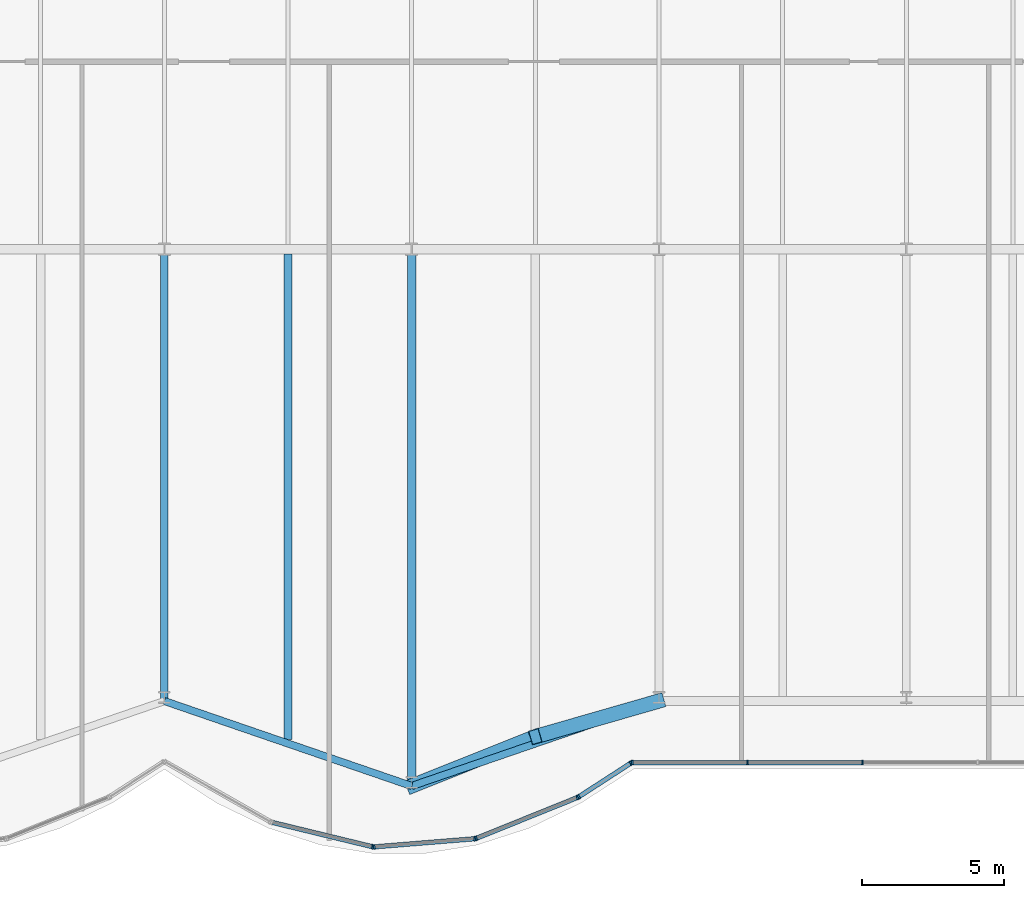
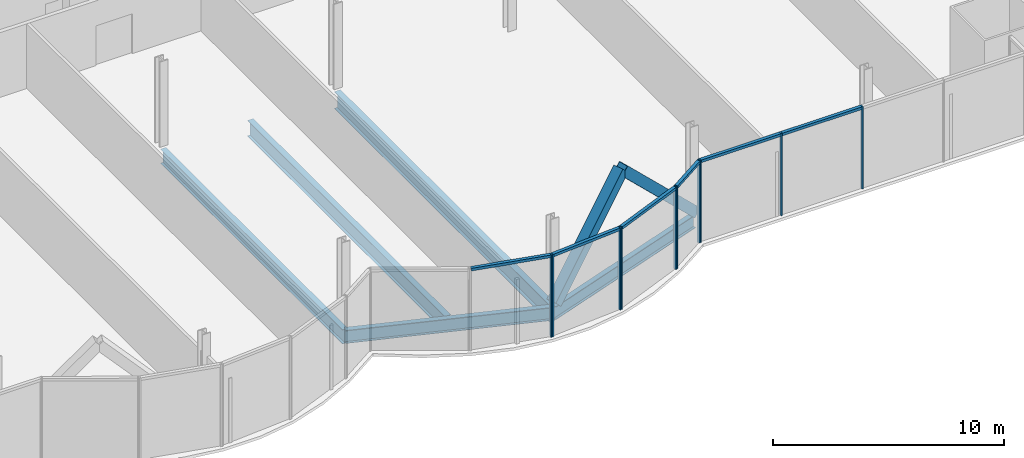
# One storey, part 8 of 21: 18 members, 5 beams, 2 elements without a shape of their own.
"""IFC4 building model written with IfcOpenShell, lengths in metres."""

from ifc_helpers import new_model, si_unit, direction, frame, origin, origin_2d, place, context, subcontext, project, spatial, rectangle, hollow_rectangle, i_section, extrude, material, material_profile, profile_set, type_object, element, aggregate, save


model = new_model("IFC4")

# Units and contexts
model_context = context("Model", 3, precision=1e-05, world=origin(), true_north=direction((0.0, 1.0)))
body_context = subcontext(model_context, "Body", "Model", "MODEL_VIEW")
ifc_project = project(units=[si_unit("LENGTHUNIT", "METRE"), si_unit("AREAUNIT", "SQUARE_METRE"), si_unit("VOLUMEUNIT", "CUBIC_METRE"), si_unit("PLANEANGLEUNIT", "RADIAN"), si_unit("MASSUNIT", "GRAM", prefix="KILO")], contexts=[model_context])

# Site, building, storey
site_placement = place(None, origin())
site = spatial("IfcSite", under=ifc_project, at=site_placement, CompositionType="ELEMENT")
building_placement = place(site_placement, origin())
building = spatial("IfcBuilding", under=site, at=building_placement, Name="Bicima Exchange Tower", CompositionType="ELEMENT")
storey_placement = place(building_placement, frame((0.0, 0.0, 66.5)))
storey = spatial("IfcBuildingStorey", under=building, at=storey_placement, Name="L13", CompositionType="ELEMENT", Elevation=66.5)

# Beams
ifc_material_1 = material(Name="Steel ASTM A992 Gr 50", Category="steel")
ifc_material_profile_1 = material_profile(ifc_material_1, i_section(OverallWidth=0.2666015625, OverallDepth=0.75439453125, WebThickness=0.01318359375, FlangeThickness=0.01708984375, at=origin_2d()))
ifc_profile_set_1 = profile_set([ifc_material_profile_1], Name="Steel ASTM A992 Gr 50")
beam_type_1 = type_object("IfcBeamType", Name="Floor beam W30x99", PredefinedType="JOIST", material=ifc_profile_set_1)
beam_1_placement = place(storey_placement, frame((0.0, -22.16259765625, -0.527099609375), z_axis=(0.0, -1.0, 0.0), x_axis=(1.0, 0.0, 0.0)))
element("IfcBeam", 1, at=beam_1_placement, inside=storey, type_object=beam_type_1, Name="Floor beam", PredefinedType="JOIST", context=body_context, shape_type="SweptSolid", body=[
    extrude(i_section(OverallWidth=0.2666015625, OverallDepth=0.75439453125, WebThickness=0.01318359375, FlangeThickness=0.01708984375, at=origin_2d()), origin(), (0.0, 0.0, 1.0), 15.7294921875),
])
ifc_material_profile_2 = material_profile(ifc_material_1, i_section(OverallWidth=0.2919921875, OverallDepth=0.835693359375, WebThickness=0.013916015625, FlangeThickness=0.018798828125, at=origin_2d()))
ifc_profile_set_2 = profile_set([ifc_material_profile_2], Name="Steel ASTM A992 Gr 50")
beam_type_2 = type_object("IfcBeamType", Name="Floor beam W33x118", PredefinedType="JOIST", material=ifc_profile_set_2)
beam_2_placement = place(storey_placement, frame((4.35009765625, -22.16259765625, -0.56787109375), z_axis=(0.0, -1.0, 0.0), x_axis=(1.0, 0.0, 0.0)))
element("IfcBeam", 2, at=beam_2_placement, inside=storey, type_object=beam_type_2, Name="Floor beam", PredefinedType="JOIST", context=body_context, shape_type="SweptSolid", body=[
    extrude(i_section(OverallWidth=0.2919921875, OverallDepth=0.835693359375, WebThickness=0.013916015625, FlangeThickness=0.018798828125, at=origin_2d()), origin(), (0.0, 0.0, 1.0), 17.08935546875),
])
ifc_material_profile_3 = material_profile(ifc_material_1, i_section(OverallWidth=0.3046875, OverallDepth=0.904296875, WebThickness=0.01513671875, FlangeThickness=0.02001953125, at=origin_2d()))
ifc_profile_set_3 = profile_set([ifc_material_profile_3], Name="Steel ASTM A992 Gr 50")
beam_type_3 = type_object("IfcBeamType", Name="Floor beam W36x135", PredefinedType="JOIST", material=ifc_profile_set_3)
beam_3_placement = place(storey_placement, frame((8.699951171875, -22.16259765625, -0.60205078125), z_axis=(0.0, -1.0, 0.0), x_axis=(1.0, 0.0, 0.0)))
element("IfcBeam", 3, at=beam_3_placement, inside=storey, type_object=beam_type_3, Name="Floor beam", PredefinedType="JOIST", context=body_context, shape_type="SweptSolid", body=[
    extrude(i_section(OverallWidth=0.3046875, OverallDepth=0.904296875, WebThickness=0.01513671875, FlangeThickness=0.02001953125, at=origin_2d()), origin(), (0.0, 0.0, 1.0), 18.584716796875),
])
ifc_material_profile_4 = material_profile(ifc_material_1, i_section(OverallWidth=0.256591796875, OverallDepth=0.693359375, WebThickness=0.014404296875, FlangeThickness=0.023681640625, at=origin_2d()))
ifc_profile_set_4 = profile_set([ifc_material_profile_4], Name="Steel ASTM A992 Gr 50")
beam_type_4 = type_object("IfcBeamType", Name="Front girder W27x114", PredefinedType="BEAM", material=ifc_profile_set_4)
for number, where, z_axis, x_axis, name in (
    (4, (0.0, -37.89208984375, -0.49658203125), (0.945674616091, -0.32511462668, 0.0), (0.32511462668, 0.945674616091, 0.0), "Front girder"),
    (5, (8.699951171875, -40.883056640625, -0.49658203125), (0.945674616091, 0.32511462668, 0.0), (-0.32511462668, 0.945674616091, 0.0), "Front girder"),
):
    element("IfcBeam", number, at=place(storey_placement, frame(where, z_axis=z_axis, x_axis=x_axis)), inside=storey, type_object=beam_type_4, Name=name, PredefinedType="BEAM", context=body_context, shape_type="SweptSolid", body=[
        extrude(i_section(OverallWidth=0.256591796875, OverallDepth=0.693359375, WebThickness=0.014404296875, FlangeThickness=0.023681640625, at=origin_2d()), origin(), (0.0, 0.0, 1.0), 9.19970703125),
    ])

# Curtain wall, members
ifc_material_2 = material(Name="Anodised bronze aluminium", Category="aluminium")
curtain_wall_type = type_object("IfcCurtainWallType", Name="Front glass wall", PredefinedType="NOTDEFINED", material=ifc_material_2)
curtain_wall_1_placement = place(storey_placement, origin())
curtain_wall_1 = element("IfcCurtainWall", 6, at=curtain_wall_1_placement, inside=storey, type_object=curtain_wall_type, Name="Front glass wall L13 run 11", PredefinedType="NOTDEFINED")
ifc_material_profile_5 = material_profile(ifc_material_2, rectangle(XDim=0.159912109375, YDim=0.06005859375, at=origin_2d()))
ifc_profile_set_5 = profile_set([ifc_material_profile_5], Name="Anodised bronze aluminium")
member_type_1 = type_object("IfcMemberType", Name="Front glass wall mullion 60 x 160", PredefinedType="MULLION", material=ifc_profile_set_5)
member_1_placement = place(storey_placement, frame((7.322509765625, -43.017822265625, 0.0), z_axis=(0.0, 0.0, 1.0), x_axis=(0.235681529503, 0.971830343553, 0.0)))
member_1 = element("IfcMember", 7, at=member_1_placement, type_object=member_type_1, Name="Front glass wall mullion 2", PredefinedType="MULLION", context=body_context, shape_type="SweptSolid", body=[
    extrude(rectangle(XDim=0.159912109375, YDim=0.06005859375, at=origin_2d()), origin(), (0.0, 0.0, 1.0), 4.35009765625),
])
member_2_placement = place(storey_placement, frame((7.381591796875, -43.022705078125, 0.0), z_axis=(0.0, 0.0, 1.0), x_axis=(-0.080588612633, 0.99674744821, 0.0)))
member_2 = element("IfcMember", 8, at=member_2_placement, type_object=member_type_1, Name="Front glass wall mullion 1", PredefinedType="MULLION", context=body_context, shape_type="SweptSolid", body=[
    extrude(rectangle(XDim=0.159912109375, YDim=0.06005859375, at=origin_2d()), origin(), (0.0, 0.0, 1.0), 4.35009765625),
])
member_3_placement = place(storey_placement, frame((10.916015625, -42.73681640625, 0.0), z_axis=(0.0, 0.0, 1.0), x_axis=(-0.080588612633, 0.99674744821, 0.0)))
member_3 = element("IfcMember", 9, at=member_3_placement, type_object=member_type_1, Name="Front glass wall mullion 2", PredefinedType="MULLION", context=body_context, shape_type="SweptSolid", body=[
    extrude(rectangle(XDim=0.159912109375, YDim=0.06005859375, at=origin_2d()), origin(), (0.0, 0.0, 1.0), 4.35009765625),
])
member_4_placement = place(storey_placement, frame((10.973876953125, -42.72314453125, 0.0), z_axis=(0.0, 0.0, 1.0), x_axis=(-0.374705304, 0.92714396679, 0.0)))
member_4 = element("IfcMember", 10, at=member_4_placement, type_object=member_type_1, Name="Front glass wall mullion 1", PredefinedType="MULLION", context=body_context, shape_type="SweptSolid", body=[
    extrude(rectangle(XDim=0.159912109375, YDim=0.06005859375, at=origin_2d()), origin(), (0.0, 0.0, 1.0), 4.35009765625),
])
member_5_placement = place(storey_placement, frame((14.52587890625, -41.28759765625, 0.0), z_axis=(0.0, 0.0, 1.0), x_axis=(-0.374705304, 0.92714396679, 0.0)))
member_5 = element("IfcMember", 11, at=member_5_placement, type_object=member_type_1, Name="Front glass wall mullion 2", PredefinedType="MULLION", context=body_context, shape_type="SweptSolid", body=[
    extrude(rectangle(XDim=0.159912109375, YDim=0.06005859375, at=origin_2d()), origin(), (0.0, 0.0, 1.0), 4.35009765625),
])
member_6_placement = place(storey_placement, frame((14.578857421875, -41.260009765625, 0.0), z_axis=(0.0, 0.0, 1.0), x_axis=(-0.542909183079, 0.839791413941, 0.0)))
member_6 = element("IfcMember", 12, at=member_6_placement, type_object=member_type_1, Name="Front glass wall mullion 1", PredefinedType="MULLION", context=body_context, shape_type="SweptSolid", body=[
    extrude(rectangle(XDim=0.159912109375, YDim=0.06005859375, at=origin_2d()), origin(), (0.0, 0.0, 1.0), 4.35009765625),
])
member_7_placement = place(storey_placement, frame((16.406982421875, -40.078369140625, 0.0), z_axis=(0.0, 0.0, 1.0), x_axis=(-0.542909183079, 0.839791413941, 0.0)))
member_7 = element("IfcMember", 13, at=member_7_placement, type_object=member_type_1, Name="Front glass wall mullion 2", PredefinedType="MULLION", context=body_context, shape_type="SweptSolid", body=[
    extrude(rectangle(XDim=0.159912109375, YDim=0.06005859375, at=origin_2d()), origin(), (0.0, 0.0, 1.0), 4.35009765625),
])

curtain_wall_2_placement = place(storey_placement, origin())
curtain_wall_2 = element("IfcCurtainWall", 14, at=curtain_wall_2_placement, inside=storey, type_object=curtain_wall_type, Name="Front glass wall L13 run 16", PredefinedType="NOTDEFINED")
member_8_placement = place(storey_placement, frame((16.462158203125, -40.06201171875, 0.0), z_axis=(0.0, 0.0, 1.0), x_axis=(0.0, 1.0, 0.0)))
member_8 = element("IfcMember", 15, at=member_8_placement, type_object=member_type_1, Name="Front glass wall mullion 1", PredefinedType="MULLION", context=body_context, shape_type="SweptSolid", body=[
    extrude(rectangle(XDim=0.159912109375, YDim=0.06005859375, at=origin_2d()), origin(), (0.0, 0.0, 1.0), 4.35009765625),
])
member_9_placement = place(storey_placement, frame((20.51171875, -40.06201171875, 0.0), z_axis=(0.0, 0.0, 1.0), x_axis=(0.0, 1.0, 0.0)))
member_9 = element("IfcMember", 16, at=member_9_placement, type_object=member_type_1, Name="Front glass wall mullion 2", PredefinedType="MULLION", context=body_context, shape_type="SweptSolid", body=[
    extrude(rectangle(XDim=0.159912109375, YDim=0.06005859375, at=origin_2d()), origin(), (0.0, 0.0, 1.0), 4.35009765625),
])
member_10_placement = place(storey_placement, frame((24.56103515625, -40.06201171875, 0.0), z_axis=(0.0, 0.0, 1.0), x_axis=(0.0, 1.0, 0.0)))
member_10 = element("IfcMember", 17, at=member_10_placement, type_object=member_type_1, Name="Front glass wall mullion 3", PredefinedType="MULLION", context=body_context, shape_type="SweptSolid", body=[
    extrude(rectangle(XDim=0.159912109375, YDim=0.06005859375, at=origin_2d()), origin(), (0.0, 0.0, 1.0), 4.35009765625),
])

# Member
ifc_material_profile_6 = material_profile(ifc_material_2, rectangle(XDim=0.159912109375, YDim=0.139892578125, at=origin_2d()))
ifc_profile_set_6 = profile_set([ifc_material_profile_6], Name="Anodised bronze aluminium")
member_type_2 = type_object("IfcMemberType", Name="Front glass wall transom 140 x 160", PredefinedType="USERDEFINED", material=ifc_profile_set_6)
member_11_placement = place(storey_placement, frame((3.81103515625, -42.166259765625, 4.280029296875), z_axis=(0.971817951661, -0.235732621477, 0.0), x_axis=(0.235732621477, 0.971817951661, 0.0)))
member_11 = element("IfcMember", 18, at=member_11_placement, type_object=member_type_2, Name="Front glass wall transom 1.1", ObjectType="TRANSOM", PredefinedType="USERDEFINED", context=body_context, shape_type="SweptSolid", body=[
    extrude(rectangle(XDim=0.159912109375, YDim=0.139892578125, at=origin_2d()), origin(), (0.0, 0.0, 1.0), 3.58349609375),
])

member_12_placement = place(storey_placement, frame((7.41162109375, -43.020263671875, 4.280029296875), z_axis=(0.9967456465, 0.080610893699, 0.0), x_axis=(-0.080610893699, 0.9967456465, 0.0)))
member_12 = element("IfcMember", 19, at=member_12_placement, type_object=member_type_2, Name="Front glass wall transom 1.1", ObjectType="TRANSOM", PredefinedType="USERDEFINED", context=body_context, shape_type="SweptSolid", body=[
    extrude(rectangle(XDim=0.159912109375, YDim=0.139892578125, at=origin_2d()), origin(), (0.0, 0.0, 1.0), 3.48583984375),
])

member_13_placement = place(storey_placement, frame((11.001708984375, -42.7119140625, 4.280029296875), z_axis=(0.927140215882, 0.374714584842, 0.0), x_axis=(-0.374714584842, 0.927140215882, 0.0)))
member_13 = element("IfcMember", 20, at=member_13_placement, type_object=member_type_2, Name="Front glass wall transom 1.1", ObjectType="TRANSOM", PredefinedType="USERDEFINED", context=body_context, shape_type="SweptSolid", body=[
    extrude(rectangle(XDim=0.159912109375, YDim=0.139892578125, at=origin_2d()), origin(), (0.0, 0.0, 1.0), 3.77099609375),
])

member_14_placement = place(storey_placement, frame((14.60400390625, -41.243896484375, 4.280029296875), z_axis=(0.839740302602, 0.542988235771, 0.0), x_axis=(-0.542988235771, 0.839740302602, 0.0)))
member_14 = element("IfcMember", 21, at=member_14_placement, type_object=member_type_2, Name="Front glass wall transom 1.1", ObjectType="TRANSOM", PredefinedType="USERDEFINED", context=body_context, shape_type="SweptSolid", body=[
    extrude(rectangle(XDim=0.159912109375, YDim=0.139892578125, at=origin_2d()), origin(), (0.0, 0.0, 1.0), 2.116943359375),
])

aggregate(curtain_wall_1, [member_1, member_11, member_2, member_3, member_12, member_4, member_5, member_13, member_6, member_7, member_14])

member_15_placement = place(storey_placement, frame((16.4921875, -40.06201171875, 4.280029296875), z_axis=(1.0, 0.0, 0.0), x_axis=(0.0, 1.0, 0.0)))
member_15 = element("IfcMember", 22, at=member_15_placement, type_object=member_type_2, Name="Front glass wall transom 1.1", ObjectType="TRANSOM", PredefinedType="USERDEFINED", context=body_context, shape_type="SweptSolid", body=[
    extrude(rectangle(XDim=0.159912109375, YDim=0.139892578125, at=origin_2d()), origin(), (0.0, 0.0, 1.0), 3.989501953125),
])

member_16_placement = place(storey_placement, frame((20.54150390625, -40.06201171875, 4.280029296875), z_axis=(1.0, 0.0, 0.0), x_axis=(0.0, 1.0, 0.0)))
member_16 = element("IfcMember", 23, at=member_16_placement, type_object=member_type_2, Name="Front glass wall transom 2.1", ObjectType="TRANSOM", PredefinedType="USERDEFINED", context=body_context, shape_type="SweptSolid", body=[
    extrude(rectangle(XDim=0.159912109375, YDim=0.139892578125, at=origin_2d()), origin(), (0.0, 0.0, 1.0), 3.989501953125),
])

aggregate(curtain_wall_2, [member_8, member_9, member_10, member_15, member_16])

# Members
ifc_material_3 = material(Name="Steel ASTM A572 Gr 50", Category="steel")
ifc_material_profile_7 = material_profile(ifc_material_3, hollow_rectangle(XDim=0.508056640625, YDim=0.508056640625, WallThickness=0.017822265625, at=origin_2d()))
ifc_profile_set_7 = profile_set([ifc_material_profile_7], Name="Steel ASTM A572 Gr 50")
member_type_3 = type_object("IfcMemberType", Name="Mega brace HSS20x20x3/4", PredefinedType="BRACE", material=ifc_profile_set_7)
member_17_placement = place(storey_placement, frame((8.699951171875, -40.883056640625, 0.0), z_axis=(0.669648363719, 0.26777666357, 0.692724135148), x_axis=(-0.371291842786, 0.928516218211, 0.0)))
element("IfcMember", 24, at=member_17_placement, inside=storey, type_object=member_type_3, Name="Mega brace front", PredefinedType="BRACE", context=body_context, shape_type="SweptSolid", body=[
    extrude(hollow_rectangle(XDim=0.508056640625, YDim=0.508056640625, WallThickness=0.017822265625, at=origin_2d()), origin(), (0.0, 0.0, 1.0), 6.49609375),
])
member_18_placement = place(storey_placement, frame((17.39990234375, -37.89208984375, 0.0), z_axis=(-0.681519101026, -0.196074923492, 0.705043501718), x_axis=(0.27648739579, -0.961017544049, 0.0)))
element("IfcMember", 25, at=member_18_placement, inside=storey, type_object=member_type_3, Name="Mega brace front", PredefinedType="BRACE", context=body_context, shape_type="SweptSolid", body=[
    extrude(hollow_rectangle(XDim=0.508056640625, YDim=0.508056640625, WallThickness=0.017822265625, at=origin_2d()), origin(), (0.0, 0.0, 1.0), 6.382568359375),
])

save(model, "model.ifc")
